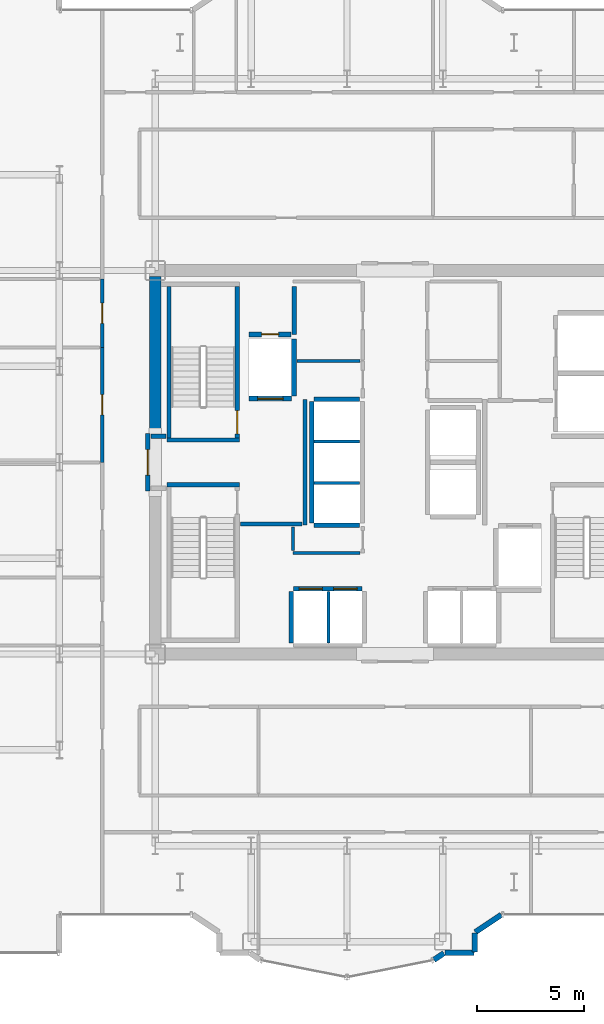
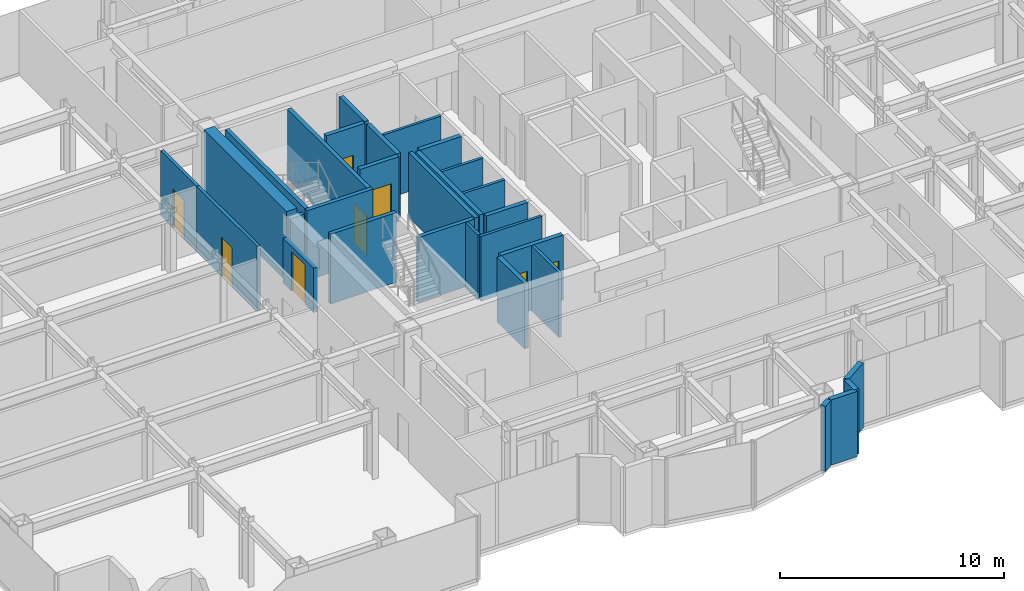
# One storey, part 21 of 27: 30 walls, 8 doors, 8 openings.
"""IFC4 building model written with IfcOpenShell, lengths in metres."""

from ifc_helpers import new_model, si_unit, direction, frame, frame_2d, origin, place, context, subcontext, project, spatial, rectangle, extrude, source, transform, mapped, material, layer, layer_set, type_object, element, fill, save


model = new_model("IFC4")

# Units and contexts
model_context = context("Model", 3, precision=1e-05, world=origin(), true_north=direction((0.0, 1.0)))
body_context = subcontext(model_context, "Body", "Model", "MODEL_VIEW")
ifc_project = project(units=[si_unit("LENGTHUNIT", "METRE"), si_unit("AREAUNIT", "SQUARE_METRE"), si_unit("VOLUMEUNIT", "CUBIC_METRE"), si_unit("PLANEANGLEUNIT", "RADIAN"), si_unit("MASSUNIT", "GRAM", prefix="KILO")], contexts=[model_context])

# Site, building, storey
site_placement = place(None, origin())
site = spatial("IfcSite", under=ifc_project, at=site_placement, CompositionType="ELEMENT")
building_placement = place(site_placement, origin())
building = spatial("IfcBuilding", under=site, at=building_placement, Name="Nefas-Gora Pilgrimage Tower", CompositionType="ELEMENT")
storey_placement = place(building_placement, frame((0.0, 0.0, 183.0)))
storey = spatial("IfcBuildingStorey", under=building, at=storey_placement, Name="L45", CompositionType="ELEMENT", Elevation=183.0)

# Walls
ifc_material_1 = material(Name="Concrete C60/75", Category="concrete")
ifc_layer_1 = layer(ifc_material_1, 0.550048828125)
ifc_layer_set_1 = layer_set([ifc_layer_1], Name="Concrete C60/75")
wall_type_1 = type_object("IfcWallType", Name="SW-CORE-550", PredefinedType="SHEAR", material=ifc_layer_set_1)
shared_shape_1 = source(origin(), body_context, "Body", "SweptSolid", [
    extrude(rectangle(XDim=7.375, YDim=0.550048828125, at=frame_2d((3.6875, 0.0))), origin(), (0.0, 0.0, 1.0), 3.800048828125),
])
wall_1_placement = place(storey_placement, frame((-11.25, 1.35009765625, 0.0), z_axis=(0.0, 0.0, 1.0), x_axis=(0.0, 1.0, 0.0)))
element("IfcWall", 1, at=wall_1_placement, inside=storey, type_object=wall_type_1, Name="L45 Core Shear Wall W-North", PredefinedType="SHEAR", context=body_context, shape_type="MappedRepresentation", body=[
    mapped(shared_shape_1, transform((0.0, 0.0, 0.0), x_axis=(1.0, 0.0, 0.0), y_axis=(0.0, 1.0, 0.0), z_axis=(0.0, 0.0, 1.0), scale=1.0)),
])
ifc_material_2 = material(Name="Precast concrete C40/50", Category="concrete")
ifc_layer_2 = layer(ifc_material_2, 0.260009765625)
ifc_layer_set_2 = layer_set([ifc_layer_2], Name="Precast concrete C40/50")
wall_type_2 = type_object("IfcWallType", Name="EW-PORTAL-260", PredefinedType="SOLIDWALL", material=ifc_layer_set_2)
shared_shape_2 = source(origin(), body_context, "Body", "SweptSolid", [
    extrude(rectangle(XDim=1.468994140625, YDim=0.260009765625, at=frame_2d((0.734375, 0.0))), origin(), (0.0, 0.0, 1.0), 3.550048828125),
])
wall_2_placement = place(storey_placement, frame((3.773193359375, -22.0517578125, 0.0), z_axis=(0.0, 0.0, 1.0), x_axis=(0.831461760506, 0.555581983884, 0.0)))
element("IfcWall", 2, at=wall_2_placement, inside=storey, type_object=wall_type_2, Name="L45 Lobe Shoulder Precast Spandrel Pier 39", PredefinedType="SOLIDWALL", context=body_context, shape_type="MappedRepresentation", body=[
    mapped(shared_shape_2, transform((0.0, 0.0, 0.0), x_axis=(1.0, 0.0, 0.0), y_axis=(0.0, 1.0, 0.0), z_axis=(0.0, 0.0, 1.0), scale=1.0)),
])
shared_shape_3 = source(origin(), body_context, "Body", "SweptSolid", [
    extrude(rectangle(XDim=0.896728515625, YDim=0.260009765625, at=frame_2d((0.4482421875, 0.0))), origin(), (0.0, 0.0, 1.0), 3.550048828125),
])
wall_3_placement = place(storey_placement, frame((3.75, -22.991943359375, 0.0), z_axis=(0.0, 0.0, 1.0), x_axis=(0.0, 1.0, 0.0)))
element("IfcWall", 3, at=wall_3_placement, inside=storey, type_object=wall_type_2, Name="L45 Lobe Shoulder Precast Spandrel Pier 38", PredefinedType="SOLIDWALL", context=body_context, shape_type="MappedRepresentation", body=[
    mapped(shared_shape_3, transform((0.0, 0.0, 0.0), x_axis=(1.0, 0.0, 0.0), y_axis=(0.0, 1.0, 0.0), z_axis=(0.0, 0.0, 1.0), scale=1.0)),
])
shared_shape_4 = source(origin(), body_context, "Body", "SweptSolid", [
    extrude(rectangle(XDim=1.369873046875, YDim=0.260009765625, at=frame_2d((0.68505859375, 0.0))), origin(), (0.0, 0.0, 1.0), 3.550048828125),
])
wall_4_placement = place(storey_placement, frame((2.35205078125, -23.02001953125, 0.0), z_axis=(0.0, 0.0, 1.0), x_axis=(1.0, 0.0, 0.0)))
element("IfcWall", 4, at=wall_4_placement, inside=storey, type_object=wall_type_2, Name="L45 Lobe Shoulder Precast Spandrel Pier 37", PredefinedType="SOLIDWALL", context=body_context, shape_type="MappedRepresentation", body=[
    mapped(shared_shape_4, transform((0.0, 0.0, 0.0), x_axis=(1.0, 0.0, 0.0), y_axis=(0.0, 1.0, 0.0), z_axis=(0.0, 0.0, 1.0), scale=1.0)),
])
shared_shape_5 = source(origin(), body_context, "Body", "SweptSolid", [
    extrude(rectangle(XDim=0.5654296875, YDim=0.260009765625, at=frame_2d((0.28271484375, 0.0))), origin(), (0.0, 0.0, 1.0), 3.550048828125),
])
wall_5_placement = place(storey_placement, frame((1.83056640625, -23.349609375, 0.0), z_axis=(0.0, 0.0, 1.0), x_axis=(0.831651492666, 0.555297933317, 0.0)))
element("IfcWall", 5, at=wall_5_placement, inside=storey, type_object=wall_type_2, Name="L45 Lobe Shoulder Precast Spandrel Pier 36", PredefinedType="SOLIDWALL", context=body_context, shape_type="MappedRepresentation", body=[
    mapped(shared_shape_5, transform((0.0, 0.0, 0.0), x_axis=(1.0, 0.0, 0.0), y_axis=(0.0, 1.0, 0.0), z_axis=(0.0, 0.0, 1.0), scale=1.0)),
])
ifc_material_3 = material(Name="Concrete C45/55", Category="concrete")
ifc_layer_3 = layer(ifc_material_3, 0.199951171875)
ifc_layer_set_3 = layer_set([ifc_layer_3], Name="Concrete C45/55")
wall_type_3 = type_object("IfcWallType", Name="IW-STAIR-200", PredefinedType="SOLIDWALL", material=ifc_layer_set_3)
shared_shape_6 = source(origin(), body_context, "Body", "SweptSolid", [
    extrude(rectangle(XDim=3.39990234375, YDim=0.199951171875, at=frame_2d((1.699951171875, 0.0))), origin(), (0.0, 0.0, 1.0), 3.800048828125),
])
for number, where, z_axis, x_axis, name in (
    (6, (-7.300048828125, 1.050048828125, 0.0), (0.0, 0.0, 1.0), (-1.0, 0.0, 0.0), "L45 Stairwell Shear Wall ST-01-near"),
    (7, (-10.699951171875, -1.050048828125, 0.0), (0.0, 0.0, 1.0), (1.0, 0.0, 0.0), "L45 Stairwell Shear Wall ST-03-near"),
):
    element("IfcWall", number, at=place(storey_placement, frame(where, z_axis=z_axis, x_axis=x_axis)), inside=storey, type_object=wall_type_3, Name=name, PredefinedType="SOLIDWALL", context=body_context, shape_type="MappedRepresentation", body=[
        mapped(shared_shape_6, transform((0.0, 0.0, 0.0), x_axis=(1.0, 0.0, 0.0), y_axis=(0.0, 1.0, 0.0), z_axis=(0.0, 0.0, 1.0), scale=1.0)),
    ])

# Wall, opening, door
shared_shape_7 = source(origin(), body_context, "Body", "SweptSolid", [
    extrude(rectangle(XDim=7.10009765625, YDim=0.199951171875, at=frame_2d((3.550048828125, 0.0))), origin(), (0.0, 0.0, 1.0), 3.800048828125),
])
wall_6_placement = place(storey_placement, frame((-7.39990234375, 1.14990234375, 0.0), z_axis=(0.0, 0.0, 1.0), x_axis=(0.0, 1.0, 0.0)))
wall_6 = element("IfcWall", 8, at=wall_6_placement, inside=storey, type_object=wall_type_3, Name="L45 Stairwell Shear Wall ST-01-left", PredefinedType="SOLIDWALL", context=body_context, shape_type="MappedRepresentation", body=[
    mapped(shared_shape_7, transform((0.0, 0.0, 0.0), x_axis=(1.0, 0.0, 0.0), y_axis=(0.0, 1.0, 0.0), z_axis=(0.0, 0.0, 1.0), scale=1.0)),
])
opening_1_placement = place(wall_6_placement, frame((0.179931640625, 0.0, 0.0)))
opening_1 = element("IfcOpeningElement", 9, at=opening_1_placement, cuts=wall_6, Name="Opening ID-ST1", PredefinedType="OPENING", context=body_context, shape_type="SweptSolid", body=[
    extrude(rectangle(XDim=1.10009765625, YDim=2.14990234375, at=frame_2d((0.550048828125, 1.074951171875))), frame((0.0, 0.10986328125, 0.0), z_axis=(0.0, -1.0, 0.0), x_axis=(1.0, 0.0, 0.0)), (0.0, 0.0, 1.0), 0.219970703125),
])
ifc_material_4 = material(Name="Painted galvanised steel fire stair door", Category="steel")
door_type_1 = type_object("IfcDoorType", Name="DR-INT-STAIR-1100", OperationType="NOTDEFINED", PredefinedType="DOOR", material=ifc_material_4)
shared_shape_8 = source(origin(), body_context, "Body", "SweptSolid", [
    extrude(rectangle(XDim=1.10009765625, YDim=2.14990234375, at=frame_2d((0.550048828125, 1.074951171875))), frame((0.0, 0.02490234375, 0.0), z_axis=(0.0, -1.0, 0.0), x_axis=(1.0, 0.0, 0.0)), (0.0, 0.0, 1.0), 0.050048828125),
])
door_1_placement = place(opening_1_placement, origin())
door_1 = element("IfcDoor", 10, at=door_1_placement, inside=storey, type_object=door_type_1, Name="L45 Protected Exit Stair Door ST-01", OperationType="SINGLE_SWING_LEFT", OverallHeight=2.14990234375, OverallWidth=1.10009765625, PredefinedType="DOOR", context=body_context, shape_type="MappedRepresentation", body=[
    mapped(shared_shape_8, transform((0.0, 0.0, 0.0), x_axis=(1.0, 0.0, 0.0), y_axis=(0.0, 1.0, 0.0), z_axis=(0.0, 0.0, 1.0), scale=1.0)),
])
fill(opening_1, door_1)

# Wall
wall_7_placement = place(storey_placement, frame((-10.60009765625, 1.14990234375, 0.0), z_axis=(0.0, 0.0, 1.0), x_axis=(0.0, 1.0, 0.0)))
element("IfcWall", 11, at=wall_7_placement, inside=storey, type_object=wall_type_3, Name="L45 Stairwell Shear Wall ST-01-right", PredefinedType="SOLIDWALL", context=body_context, shape_type="MappedRepresentation", body=[
    mapped(shared_shape_7, transform((0.0, 0.0, 0.0), x_axis=(1.0, 0.0, 0.0), y_axis=(0.0, 1.0, 0.0), z_axis=(0.0, 0.0, 1.0), scale=1.0)),
])

# Wall, opening, door
ifc_material_5 = material(Name="Concrete C40/50", Category="concrete")
ifc_layer_4 = layer(ifc_material_5, 0.219970703125)
ifc_layer_set_4 = layer_set([ifc_layer_4], Name="Concrete C40/50")
wall_type_4 = type_object("IfcWallType", Name="IW-SHAFT-220", PredefinedType="SOLIDWALL", material=ifc_layer_set_4)
shared_shape_9 = source(origin(), body_context, "Body", "SweptSolid", [
    extrude(rectangle(XDim=2.0, YDim=0.219970703125, at=frame_2d((1.0, 0.0))), origin(), (0.0, 0.0, 1.0), 3.534912109375),
])
wall_8_placement = place(storey_placement, frame((-6.85009765625, 2.989990234375, 0.0), z_axis=(0.0, 0.0, 1.0), x_axis=(1.0, 0.0, 0.0)))
wall_8 = element("IfcWall", 12, at=wall_8_placement, inside=storey, type_object=wall_type_4, Name="L45 Hoistway Wall FFL-01-S", PredefinedType="SOLIDWALL", context=body_context, shape_type="MappedRepresentation", body=[
    mapped(shared_shape_9, transform((0.0, 0.0, 0.0), x_axis=(1.0, 0.0, 0.0), y_axis=(0.0, 1.0, 0.0), z_axis=(0.0, 0.0, 1.0), scale=1.0)),
])
opening_2_placement = place(wall_8_placement, frame((0.39990234375, 0.0, 0.0)))
opening_2 = element("IfcOpeningElement", 13, at=opening_2_placement, cuts=wall_8, Name="Opening LD-FF", PredefinedType="OPENING", context=body_context, shape_type="SweptSolid", body=[
    extrude(rectangle(XDim=1.199951171875, YDim=2.199951171875, at=frame_2d((0.60009765625, 1.10009765625))), frame((0.0, 0.119873046875, 0.0), z_axis=(0.0, -1.0, 0.0), x_axis=(1.0, 0.0, 0.0)), (0.0, 0.0, 1.0), 0.239990234375),
])
ifc_material_6 = material(Name="Fire-service sliding lift landing door")
door_type_2 = type_object("IfcDoorType", Name="DR-LIFT-FSAE-1200", OperationType="SLIDING_TO_LEFT", PredefinedType="DOOR", material=ifc_material_6)
shared_shape_10 = source(origin(), body_context, "Body", "SweptSolid", [
    extrude(rectangle(XDim=1.199951171875, YDim=2.199951171875, at=frame_2d((0.60009765625, 1.10009765625))), frame((0.0, 0.02490234375, 0.0), z_axis=(0.0, -1.0, 0.0), x_axis=(1.0, 0.0, 0.0)), (0.0, 0.0, 1.0), 0.050048828125),
])
door_2_placement = place(opening_2_placement, origin())
door_2 = element("IfcDoor", 14, at=door_2_placement, inside=storey, type_object=door_type_2, Name="L45 Sliding Lift Landing Door FFL-01", OperationType="SLIDING_TO_LEFT", OverallHeight=2.199951171875, OverallWidth=1.199951171875, PredefinedType="DOOR", context=body_context, shape_type="MappedRepresentation", body=[
    mapped(shared_shape_10, transform((0.0, 0.0, 0.0), x_axis=(1.0, 0.0, 0.0), y_axis=(0.0, 1.0, 0.0), z_axis=(0.0, 0.0, 1.0), scale=1.0)),
])
fill(opening_2, door_2)

# Wall
shared_shape_11 = source(origin(), body_context, "Body", "SweptSolid", [
    extrude(rectangle(XDim=2.679931640625, YDim=0.219970703125, at=frame_2d((1.33984375, 0.0))), origin(), (0.0, 0.0, 1.0), 3.534912109375),
])
wall_9_placement = place(storey_placement, frame((-4.739990234375, 3.110107421875, 0.0), z_axis=(0.0, 0.0, 1.0), x_axis=(0.0, 1.0, 0.0)))
element("IfcWall", 15, at=wall_9_placement, inside=storey, type_object=wall_type_4, Name="L45 Hoistway Wall FFL-01-E", PredefinedType="SOLIDWALL", context=body_context, shape_type="MappedRepresentation", body=[
    mapped(shared_shape_11, transform((0.0, 0.0, 0.0), x_axis=(1.0, 0.0, 0.0), y_axis=(0.0, 1.0, 0.0), z_axis=(0.0, 0.0, 1.0), scale=1.0)),
])

# Wall, openings, doors
shared_shape_12 = source(origin(), body_context, "Body", "SweptSolid", [
    extrude(rectangle(XDim=3.199951171875, YDim=0.219970703125, at=frame_2d((1.60009765625, 0.0))), origin(), (0.0, 0.0, 1.0), 3.534912109375),
])
wall_10_placement = place(storey_placement, frame((-1.550048828125, -5.93994140625, 0.0), z_axis=(0.0, 0.0, 1.0), x_axis=(-1.0, 0.0, 0.0)))
wall_10 = element("IfcWall", 16, at=wall_10_placement, inside=storey, type_object=wall_type_4, Name="L45 Hoistway Wall PL2-W-N", PredefinedType="SOLIDWALL", context=body_context, shape_type="MappedRepresentation", body=[
    mapped(shared_shape_12, transform((0.0, 0.0, 0.0), x_axis=(1.0, 0.0, 0.0), y_axis=(0.0, 1.0, 0.0), z_axis=(0.0, 0.0, 1.0), scale=1.0)),
])
opening_3_placement = place(wall_10_placement, frame((1.85009765625, 0.0, 0.0)))
opening_3 = element("IfcOpeningElement", 17, at=opening_3_placement, cuts=wall_10, Name="Opening LD-01", PredefinedType="OPENING", context=body_context, shape_type="SweptSolid", body=[
    extrude(rectangle(XDim=1.10009765625, YDim=2.199951171875, at=frame_2d((0.550048828125, 1.10009765625))), frame((0.0, 0.119873046875, 0.0), z_axis=(0.0, -1.0, 0.0), x_axis=(1.0, 0.0, 0.0)), (0.0, 0.0, 1.0), 0.239990234375),
])
opening_4_placement = place(wall_10_placement, frame((0.22509765625, 0.0, 0.0)))
opening_4 = element("IfcOpeningElement", 18, at=opening_4_placement, cuts=wall_10, Name="Opening LD-01", PredefinedType="OPENING", context=body_context, shape_type="SweptSolid", body=[
    extrude(rectangle(XDim=1.10009765625, YDim=2.199951171875, at=frame_2d((0.550048828125, 1.10009765625))), frame((0.0, 0.119873046875, 0.0), z_axis=(0.0, -1.0, 0.0), x_axis=(1.0, 0.0, 0.0)), (0.0, 0.0, 1.0), 0.239990234375),
])
ifc_material_7 = material(Name="Brushed stainless sliding lift landing door")
door_type_3 = type_object("IfcDoorType", Name="DR-LIFT-PASS-1100", OperationType="DOUBLE_DOOR_SLIDING", PredefinedType="DOOR", material=ifc_material_7)
shared_shape_13 = source(origin(), body_context, "Body", "SweptSolid", [
    extrude(rectangle(XDim=1.10009765625, YDim=2.199951171875, at=frame_2d((0.550048828125, 1.10009765625))), frame((0.0, 0.02490234375, 0.0), z_axis=(0.0, -1.0, 0.0), x_axis=(1.0, 0.0, 0.0)), (0.0, 0.0, 1.0), 0.050048828125),
])
door_3_placement = place(opening_3_placement, origin())
door_3 = element("IfcDoor", 19, at=door_3_placement, inside=storey, type_object=door_type_3, Name="L45 Sliding Lift Landing Door PL2-01", OperationType="DOUBLE_DOOR_SLIDING", OverallHeight=2.199951171875, OverallWidth=1.10009765625, PredefinedType="DOOR", context=body_context, shape_type="MappedRepresentation", body=[
    mapped(shared_shape_13, transform((0.0, 0.0, 0.0), x_axis=(1.0, 0.0, 0.0), y_axis=(0.0, 1.0, 0.0), z_axis=(0.0, 0.0, 1.0), scale=1.0)),
])
fill(opening_3, door_3)
door_4_placement = place(opening_4_placement, origin())
door_4 = element("IfcDoor", 20, at=door_4_placement, inside=storey, type_object=door_type_3, Name="L45 Sliding Lift Landing Door PL2-02", OperationType="DOUBLE_DOOR_SLIDING", OverallHeight=2.199951171875, OverallWidth=1.10009765625, PredefinedType="DOOR", context=body_context, shape_type="MappedRepresentation", body=[
    mapped(shared_shape_13, transform((0.0, 0.0, 0.0), x_axis=(1.0, 0.0, 0.0), y_axis=(0.0, 1.0, 0.0), z_axis=(0.0, 0.0, 1.0), scale=1.0)),
])
fill(opening_4, door_4)

# Walls
shared_shape_14 = source(origin(), body_context, "Body", "SweptSolid", [
    extrude(rectangle(XDim=2.429931640625, YDim=0.219970703125, at=frame_2d((1.21484375, 0.0))), origin(), (0.0, 0.0, 1.0), 3.534912109375),
])
wall_11_placement = place(storey_placement, frame((-4.860107421875, -6.06005859375, 0.0), z_axis=(0.0, 0.0, 1.0), x_axis=(0.0, -1.0, 0.0)))
element("IfcWall", 21, at=wall_11_placement, inside=storey, type_object=wall_type_4, Name="L45 Hoistway Wall PL2-W-W", PredefinedType="SOLIDWALL", context=body_context, shape_type="MappedRepresentation", body=[
    mapped(shared_shape_14, transform((0.0, 0.0, 0.0), x_axis=(1.0, 0.0, 0.0), y_axis=(0.0, 1.0, 0.0), z_axis=(0.0, 0.0, 1.0), scale=1.0)),
])
ifc_material_8 = material(Name="Gypsum twin-stud partition")
ifc_layer_5 = layer(ifc_material_8, 0.139892578125)
ifc_layer_set_5 = layer_set([ifc_layer_5], Name="Gypsum twin-stud partition")
wall_type_5 = type_object("IfcWallType", Name="IW-UNIT-140", PredefinedType="PARTITIONING", material=ifc_layer_set_5)
shared_shape_15 = source(origin(), body_context, "Body", "SweptSolid", [
    extrude(rectangle(XDim=2.429931640625, YDim=0.139892578125, at=frame_2d((1.21484375, 0.0))), origin(), (0.0, 0.0, 1.0), 3.534912109375),
])
wall_12_placement = place(storey_placement, frame((-3.125, -8.489990234375, 0.0), z_axis=(0.0, 0.0, 1.0), x_axis=(0.0, 1.0, 0.0)))
element("IfcWall", 22, at=wall_12_placement, inside=storey, type_object=wall_type_5, Name="L45 Hoistway Wall PL2-W-DIV", PredefinedType="PARTITIONING", context=body_context, shape_type="MappedRepresentation", body=[
    mapped(shared_shape_15, transform((0.0, 0.0, 0.0), x_axis=(1.0, 0.0, 0.0), y_axis=(0.0, 1.0, 0.0), z_axis=(0.0, 0.0, 1.0), scale=1.0)),
])
shared_shape_16 = source(origin(), body_context, "Body", "SweptSolid", [
    extrude(rectangle(XDim=5.7001953125, YDim=0.219970703125, at=frame_2d((2.85009765625, 0.0))), origin(), (0.0, 0.0, 1.0), 3.534912109375),
])
wall_13_placement = place(storey_placement, frame((-3.909912109375, 2.85009765625, 0.0), z_axis=(0.0, 0.0, 1.0), x_axis=(0.0, -1.0, 0.0)))
element("IfcWall", 23, at=wall_13_placement, inside=storey, type_object=wall_type_4, Name="L45 Hoistway Wall PL3-01-03-W", PredefinedType="SOLIDWALL", context=body_context, shape_type="MappedRepresentation", body=[
    mapped(shared_shape_16, transform((0.0, 0.0, 0.0), x_axis=(1.0, 0.0, 0.0), y_axis=(0.0, 1.0, 0.0), z_axis=(0.0, 0.0, 1.0), scale=1.0)),
])
shared_shape_17 = source(origin(), body_context, "Body", "SweptSolid", [
    extrude(rectangle(XDim=2.130126953125, YDim=0.219970703125, at=frame_2d((1.06494140625, 0.0))), origin(), (0.0, 0.0, 1.0), 3.534912109375),
])
for number, where, z_axis, x_axis, name in (
    (24, (-3.7900390625, -2.9599609375, 0.0), (0.0, 0.0, 1.0), (1.0, 0.0, 0.0), "L45 Hoistway Wall PL3-01-S"),
    (25, (-1.659912109375, 2.9599609375, 0.0), (0.0, 0.0, 1.0), (-1.0, 0.0, 0.0), "L45 Hoistway Wall PL3-03-N"),
):
    element("IfcWall", number, at=place(storey_placement, frame(where, z_axis=z_axis, x_axis=x_axis)), inside=storey, type_object=wall_type_4, Name=name, PredefinedType="SOLIDWALL", context=body_context, shape_type="MappedRepresentation", body=[
        mapped(shared_shape_17, transform((0.0, 0.0, 0.0), x_axis=(1.0, 0.0, 0.0), y_axis=(0.0, 1.0, 0.0), z_axis=(0.0, 0.0, 1.0), scale=1.0)),
    ])
shared_shape_18 = source(origin(), body_context, "Body", "SweptSolid", [
    extrude(rectangle(XDim=2.130126953125, YDim=0.139892578125, at=frame_2d((1.06494140625, 0.0))), origin(), (0.0, 0.0, 1.0), 3.534912109375),
])
for number, where, z_axis, x_axis, name in (
    (26, (-3.7900390625, -0.97509765625, 0.0), (0.0, 0.0, 1.0), (1.0, 0.0, 0.0), "L45 Hoistway Wall PL3-01-02-DIV"),
    (27, (-3.7900390625, 0.97509765625, 0.0), (0.0, 0.0, 1.0), (1.0, 0.0, 0.0), "L45 Hoistway Wall PL3-02-03-DIV"),
):
    element("IfcWall", number, at=place(storey_placement, frame(where, z_axis=z_axis, x_axis=x_axis)), inside=storey, type_object=wall_type_5, Name=name, PredefinedType="PARTITIONING", context=body_context, shape_type="MappedRepresentation", body=[
        mapped(shared_shape_18, transform((0.0, 0.0, 0.0), x_axis=(1.0, 0.0, 0.0), y_axis=(0.0, 1.0, 0.0), z_axis=(0.0, 0.0, 1.0), scale=1.0)),
    ])

# Wall, opening, door
ifc_material_9 = material(Name="Gypsum fire-rated shaftwall")
ifc_layer_6 = layer(ifc_material_9, 0.199951171875)
ifc_layer_set_6 = layer_set([ifc_layer_6], Name="Gypsum fire-rated shaftwall")
wall_type_6 = type_object("IfcWallType", Name="IW-FFLOB-200", PredefinedType="PARTITIONING", material=ifc_layer_set_6)
shared_shape_19 = source(origin(), body_context, "Body", "SweptSolid", [
    extrude(rectangle(XDim=2.7001953125, YDim=0.199951171875, at=frame_2d((1.35009765625, 0.0))), origin(), (0.0, 0.0, 1.0), 2.425048828125),
])
wall_14_placement = place(storey_placement, frame((-11.60009765625, -1.35009765625, 0.0), z_axis=(0.0, 0.0, 1.0), x_axis=(0.0, 1.0, 0.0)))
wall_14 = element("IfcWall", 28, at=wall_14_placement, inside=storey, type_object=wall_type_6, Name="L45 FF Lobby West Portal Wall 4", PredefinedType="PARTITIONING", context=body_context, shape_type="MappedRepresentation", body=[
    mapped(shared_shape_19, transform((0.0, 0.0, 0.0), x_axis=(1.0, 0.0, 0.0), y_axis=(0.0, 1.0, 0.0), z_axis=(0.0, 0.0, 1.0), scale=1.0)),
])
opening_5_placement = place(wall_14_placement, frame((0.75, 0.0, 0.0)))
opening_5 = element("IfcOpeningElement", 29, at=opening_5_placement, cuts=wall_14, Name="Opening ID-FF1", PredefinedType="OPENING", context=body_context, shape_type="SweptSolid", body=[
    extrude(rectangle(XDim=1.199951171875, YDim=2.14990234375, at=frame_2d((0.60009765625, 1.074951171875))), frame((0.0, 0.10986328125, 0.0), z_axis=(0.0, -1.0, 0.0), x_axis=(1.0, 0.0, 0.0)), (0.0, 0.0, 1.0), 0.219970703125),
])
ifc_material_10 = material(Name="Smoke-sealed steel firefighting lobby door", Category="steel")
door_type_4 = type_object("IfcDoorType", Name="DR-INT-FFLOB-1200", OperationType="NOTDEFINED", PredefinedType="DOOR", material=ifc_material_10)
shared_shape_20 = source(origin(), body_context, "Body", "SweptSolid", [
    extrude(rectangle(XDim=1.199951171875, YDim=2.14990234375, at=frame_2d((0.60009765625, 1.074951171875))), frame((0.0, 0.02490234375, 0.0), z_axis=(0.0, -1.0, 0.0), x_axis=(1.0, 0.0, 0.0)), (0.0, 0.0, 1.0), 0.050048828125),
])
door_5_placement = place(opening_5_placement, origin())
door_5 = element("IfcDoor", 30, at=door_5_placement, inside=storey, type_object=door_type_4, Name="L45 FF Lobby West Portal Door 2", OperationType="SINGLE_SWING_LEFT", OverallHeight=2.14990234375, OverallWidth=1.199951171875, PredefinedType="DOOR", context=body_context, shape_type="MappedRepresentation", body=[
    mapped(shared_shape_20, transform((0.0, 0.0, 0.0), x_axis=(1.0, 0.0, 0.0), y_axis=(0.0, 1.0, 0.0), z_axis=(0.0, 0.0, 1.0), scale=1.0)),
])
fill(opening_5, door_5)

# Walls
shared_shape_21 = source(origin(), body_context, "Body", "SweptSolid", [
    extrude(rectangle(XDim=5.89990234375, YDim=0.199951171875, at=frame_2d((2.949951171875, 0.0))), origin(), (0.0, 0.0, 1.0), 3.534912109375),
])
wall_15_placement = place(storey_placement, frame((-4.219970703125, -2.949951171875, 0.0), z_axis=(0.0, 0.0, 1.0), x_axis=(0.0, 1.0, 0.0)))
element("IfcWall", 31, at=wall_15_placement, inside=storey, type_object=wall_type_6, Name="L45 FF Lobby West Inner Wall Wall 5", PredefinedType="PARTITIONING", context=body_context, shape_type="MappedRepresentation", body=[
    mapped(shared_shape_21, transform((0.0, 0.0, 0.0), x_axis=(1.0, 0.0, 0.0), y_axis=(0.0, 1.0, 0.0), z_axis=(0.0, 0.0, 1.0), scale=1.0)),
])
shared_shape_22 = source(origin(), body_context, "Body", "SweptSolid", [
    extrude(rectangle(XDim=2.89990234375, YDim=0.199951171875, at=frame_2d((1.449951171875, 0.0))), origin(), (0.0, 0.0, 1.0), 3.534912109375),
])
wall_16_placement = place(storey_placement, frame((-7.260009765625, -2.89990234375, 0.0), z_axis=(0.0, 0.0, 1.0), x_axis=(1.0, 0.0, 0.0)))
element("IfcWall", 32, at=wall_16_placement, inside=storey, type_object=wall_type_6, Name="L45 FF Lobby West South Wall Wall 6", PredefinedType="PARTITIONING", context=body_context, shape_type="MappedRepresentation", body=[
    mapped(shared_shape_22, transform((0.0, 0.0, 0.0), x_axis=(1.0, 0.0, 0.0), y_axis=(0.0, 1.0, 0.0), z_axis=(0.0, 0.0, 1.0), scale=1.0)),
])
shared_shape_23 = source(origin(), body_context, "Body", "SweptSolid", [
    extrude(rectangle(XDim=0.719970703125, YDim=0.199951171875, at=frame_2d((0.35986328125, 0.0))), origin(), (0.0, 0.0, 1.0), 3.534912109375),
])
wall_17_placement = place(storey_placement, frame((-11.4599609375, 1.219970703125, 0.0), z_axis=(0.0, 0.0, 1.0), x_axis=(1.0, 0.0, 0.0)))
element("IfcWall", 33, at=wall_17_placement, inside=storey, type_object=wall_type_6, Name="L45 FF Lobby West Throat N Wall 7", PredefinedType="PARTITIONING", context=body_context, shape_type="MappedRepresentation", body=[
    mapped(shared_shape_23, transform((0.0, 0.0, 0.0), x_axis=(1.0, 0.0, 0.0), y_axis=(0.0, 1.0, 0.0), z_axis=(0.0, 0.0, 1.0), scale=1.0)),
])
shared_shape_24 = source(origin(), body_context, "Body", "SweptSolid", [
    extrude(rectangle(XDim=2.9501953125, YDim=0.139892578125, at=frame_2d((1.47509765625, 0.0))), origin(), (0.0, 0.0, 1.0), 3.534912109375),
])
wall_18_placement = place(storey_placement, frame((-4.590087890625, 4.75, 0.0), z_axis=(0.0, 0.0, 1.0), x_axis=(1.0, 0.0, 0.0)))
element("IfcWall", 34, at=wall_18_placement, inside=storey, type_object=wall_type_5, Name="L45 Housekeeping and Linen Store Partition Wall 19", PredefinedType="PARTITIONING", context=body_context, shape_type="MappedRepresentation", body=[
    mapped(shared_shape_24, transform((0.0, 0.0, 0.0), x_axis=(1.0, 0.0, 0.0), y_axis=(0.0, 1.0, 0.0), z_axis=(0.0, 0.0, 1.0), scale=1.0)),
])
shared_shape_25 = source(origin(), body_context, "Body", "SweptSolid", [
    extrude(rectangle(XDim=3.150146484375, YDim=0.139892578125, at=frame_2d((1.5751953125, 0.0))), origin(), (0.0, 0.0, 1.0), 3.534912109375),
])
wall_19_placement = place(storey_placement, frame((-4.7900390625, -4.25, 0.0), z_axis=(0.0, 0.0, 1.0), x_axis=(1.0, 0.0, 0.0)))
element("IfcWall", 35, at=wall_19_placement, inside=storey, type_object=wall_type_5, Name="L45 Guest Self-Service Laundry Room Partition Wall 27", PredefinedType="PARTITIONING", context=body_context, shape_type="MappedRepresentation", body=[
    mapped(shared_shape_25, transform((0.0, 0.0, 0.0), x_axis=(1.0, 0.0, 0.0), y_axis=(0.0, 1.0, 0.0), z_axis=(0.0, 0.0, 1.0), scale=1.0)),
])

# Wall, opening, door
ifc_material_11 = material(Name="Gypsum acoustic stud partition")
ifc_layer_7 = layer(ifc_material_11, 0.159912109375)
ifc_layer_set_7 = layer_set([ifc_layer_7], Name="Gypsum acoustic stud partition")
wall_type_7 = type_object("IfcWallType", Name="IW-CORR-160", PredefinedType="PARTITIONING", material=ifc_layer_set_7)
shared_shape_26 = source(origin(), body_context, "Body", "SweptSolid", [
    extrude(rectangle(XDim=3.2099609375, YDim=0.159912109375, at=frame_2d((1.60498046875, 0.0))), origin(), (0.0, 0.0, 1.0), 3.534912109375),
])
wall_20_placement = place(storey_placement, frame((-13.739990234375, 5.39501953125, 0.0), z_axis=(0.0, 0.0, 1.0), x_axis=(0.0, 1.0, 0.0)))
wall_20 = element("IfcWall", 36, at=wall_20_placement, inside=storey, type_object=wall_type_7, Name="L45 Pilgrim Fellowship Seminar Room Partition Wall 40", PredefinedType="PARTITIONING", context=body_context, shape_type="MappedRepresentation", body=[
    mapped(shared_shape_26, transform((0.0, 0.0, 0.0), x_axis=(1.0, 0.0, 0.0), y_axis=(0.0, 1.0, 0.0), z_axis=(0.0, 0.0, 1.0), scale=1.0)),
])
opening_6_placement = place(wall_20_placement, frame((1.1298828125, 0.0, 0.0)))
opening_6 = element("IfcOpeningElement", 37, at=opening_6_placement, cuts=wall_20, Name="Opening ID-GR1", PredefinedType="OPENING", context=body_context, shape_type="SweptSolid", body=[
    extrude(rectangle(XDim=0.949951171875, YDim=2.10009765625, at=frame_2d((0.47509765625, 1.050048828125))), frame((0.0, 0.08984375, 0.0), z_axis=(0.0, -1.0, 0.0), x_axis=(1.0, 0.0, 0.0)), (0.0, 0.0, 1.0), 0.179931640625),
])
ifc_material_12 = material(Name="Solid core oak fire-rated guest entrance door")
door_type_5 = type_object("IfcDoorType", Name="DR-INT-GUEST-950", OperationType="NOTDEFINED", PredefinedType="DOOR", material=ifc_material_12)
shared_shape_27 = source(origin(), body_context, "Body", "SweptSolid", [
    extrude(rectangle(XDim=0.949951171875, YDim=2.10009765625, at=frame_2d((0.47509765625, 1.050048828125))), frame((0.0, 0.02490234375, 0.0), z_axis=(0.0, -1.0, 0.0), x_axis=(1.0, 0.0, 0.0)), (0.0, 0.0, 1.0), 0.050048828125),
])
door_6_placement = place(opening_6_placement, origin())
door_6 = element("IfcDoor", 38, at=door_6_placement, inside=storey, type_object=door_type_5, Name="L45 Pilgrim Fellowship Seminar Room Door 17", OperationType="SINGLE_SWING_RIGHT", OverallHeight=2.10009765625, OverallWidth=0.949951171875, PredefinedType="DOOR", context=body_context, shape_type="MappedRepresentation", body=[
    mapped(shared_shape_27, transform((0.0, 0.0, 0.0), x_axis=(1.0, 0.0, 0.0), y_axis=(0.0, 1.0, 0.0), z_axis=(0.0, 0.0, 1.0), scale=1.0)),
])
fill(opening_6, door_6)

# Walls
shared_shape_28 = source(origin(), body_context, "Body", "SweptSolid", [
    extrude(rectangle(XDim=1.099853515625, YDim=0.139892578125, at=frame_2d((0.5498046875, 0.0))), origin(), (0.0, 0.0, 1.0), 3.534912109375),
])
wall_21_placement = place(storey_placement, frame((-4.780029296875, -4.139892578125, 0.0), z_axis=(0.0, 0.0, 1.0), x_axis=(0.0, 1.0, 0.0)))
element("IfcWall", 39, at=wall_21_placement, inside=storey, type_object=wall_type_5, Name="L45 Guest Self-Service Laundry Room Partition Wall 28", PredefinedType="PARTITIONING", context=body_context, shape_type="MappedRepresentation", body=[
    mapped(shared_shape_28, transform((0.0, 0.0, 0.0), x_axis=(1.0, 0.0, 0.0), y_axis=(0.0, 1.0, 0.0), z_axis=(0.0, 0.0, 1.0), scale=1.0)),
])
shared_shape_29 = source(origin(), body_context, "Body", "SweptSolid", [
    extrude(rectangle(XDim=2.25, YDim=0.219970703125, at=frame_2d((1.125, 0.0))), origin(), (0.0, 0.0, 1.0), 3.534912109375),
])
wall_22_placement = place(storey_placement, frame((-4.719970703125, 6.0, 0.0), z_axis=(0.0, 0.0, 1.0), x_axis=(0.0, 1.0, 0.0)))
element("IfcWall", 40, at=wall_22_placement, inside=storey, type_object=wall_type_4, Name="L45 Riser Shaft Wall 1", PredefinedType="SOLIDWALL", context=body_context, shape_type="MappedRepresentation", body=[
    mapped(shared_shape_29, transform((0.0, 0.0, 0.0), x_axis=(1.0, 0.0, 0.0), y_axis=(0.0, 1.0, 0.0), z_axis=(0.0, 0.0, 1.0), scale=1.0)),
])

# Wall, opening, door
shared_shape_30 = source(origin(), body_context, "Body", "SweptSolid", [
    extrude(rectangle(XDim=1.97998046875, YDim=0.219970703125, at=frame_2d((0.989990234375, 0.0))), origin(), (0.0, 0.0, 1.0), 3.534912109375),
])
wall_23_placement = place(storey_placement, frame((-6.85009765625, 6.0, 0.0), z_axis=(0.0, 0.0, 1.0), x_axis=(1.0, 0.0, 0.0)))
wall_23 = element("IfcWall", 41, at=wall_23_placement, inside=storey, type_object=wall_type_4, Name="L45 Riser Shaft Wall 2", PredefinedType="SOLIDWALL", context=body_context, shape_type="MappedRepresentation", body=[
    mapped(shared_shape_30, transform((0.0, 0.0, 0.0), x_axis=(1.0, 0.0, 0.0), y_axis=(0.0, 1.0, 0.0), z_axis=(0.0, 0.0, 1.0), scale=1.0)),
])
opening_7_placement = place(wall_23_placement, frame((0.590087890625, 0.0, 0.0)))
opening_7 = element("IfcOpeningElement", 42, at=opening_7_placement, cuts=wall_23, Name="Opening ID-TR1", PredefinedType="OPENING", context=body_context, shape_type="SweptSolid", body=[
    extrude(rectangle(XDim=0.800048828125, YDim=2.0, at=frame_2d((0.39990234375, 1.0))), frame((0.0, 0.119873046875, 0.0), z_axis=(0.0, -1.0, 0.0), x_axis=(1.0, 0.0, 0.0)), (0.0, 0.0, 1.0), 0.239990234375),
])
ifc_material_13 = material(Name="Riser maintenance fire access door")
door_type_6 = type_object("IfcDoorType", Name="DR-INT-TRAP-800", OperationType="NOTDEFINED", PredefinedType="TRAPDOOR", material=ifc_material_13)
shared_shape_31 = source(origin(), body_context, "Body", "SweptSolid", [
    extrude(rectangle(XDim=0.800048828125, YDim=2.0, at=frame_2d((0.39990234375, 1.0))), frame((0.0, 0.02490234375, 0.0), z_axis=(0.0, -1.0, 0.0), x_axis=(1.0, 0.0, 0.0)), (0.0, 0.0, 1.0), 0.050048828125),
])
door_7_placement = place(opening_7_placement, origin())
door_7 = element("IfcDoor", 43, at=door_7_placement, inside=storey, type_object=door_type_6, Name="L45 Riser Shaft Door 1", OperationType="SINGLE_SWING_RIGHT", OverallHeight=2.0, OverallWidth=0.800048828125, PredefinedType="TRAPDOOR", context=body_context, shape_type="MappedRepresentation", body=[
    mapped(shared_shape_31, transform((0.0, 0.0, 0.0), x_axis=(1.0, 0.0, 0.0), y_axis=(0.0, 1.0, 0.0), z_axis=(0.0, 0.0, 1.0), scale=1.0)),
])
fill(opening_7, door_7)

shared_shape_32 = source(origin(), body_context, "Body", "SweptSolid", [
    extrude(rectangle(XDim=5.409912109375, YDim=0.159912109375, at=frame_2d((2.705078125, 0.0))), origin(), (0.0, 0.0, 1.0), 3.534912109375),
])
wall_24_placement = place(storey_placement, frame((-13.739990234375, -0.0048828125, 0.0), z_axis=(0.0, 0.0, 1.0), x_axis=(0.0, 1.0, 0.0)))
wall_24 = element("IfcWall", 44, at=wall_24_placement, inside=storey, type_object=wall_type_7, Name="L45 Pilgrim Tea and Beverage Pantry Partition Wall 38", PredefinedType="PARTITIONING", context=body_context, shape_type="MappedRepresentation", body=[
    mapped(shared_shape_32, transform((0.0, 0.0, 0.0), x_axis=(1.0, 0.0, 0.0), y_axis=(0.0, 1.0, 0.0), z_axis=(0.0, 0.0, 1.0), scale=1.0)),
])
opening_8_placement = place(wall_24_placement, frame((2.22998046875, 0.0, 0.0)))
opening_8 = element("IfcOpeningElement", 45, at=opening_8_placement, cuts=wall_24, Name="Opening ID-GR1", PredefinedType="OPENING", context=body_context, shape_type="SweptSolid", body=[
    extrude(rectangle(XDim=0.949951171875, YDim=2.10009765625, at=frame_2d((0.47509765625, 1.050048828125))), frame((0.0, 0.08984375, 0.0), z_axis=(0.0, -1.0, 0.0), x_axis=(1.0, 0.0, 0.0)), (0.0, 0.0, 1.0), 0.179931640625),
])
door_8_placement = place(opening_8_placement, origin())
door_8 = element("IfcDoor", 46, at=door_8_placement, inside=storey, type_object=door_type_5, Name="L45 Pilgrim Tea and Beverage Pantry Door 16", OperationType="SINGLE_SWING_LEFT", OverallHeight=2.10009765625, OverallWidth=0.949951171875, PredefinedType="DOOR", context=body_context, shape_type="MappedRepresentation", body=[
    mapped(shared_shape_27, transform((0.0, 0.0, 0.0), x_axis=(1.0, 0.0, 0.0), y_axis=(0.0, 1.0, 0.0), z_axis=(0.0, 0.0, 1.0), scale=1.0)),
])
fill(opening_8, door_8)

save(model, "model.ifc")
